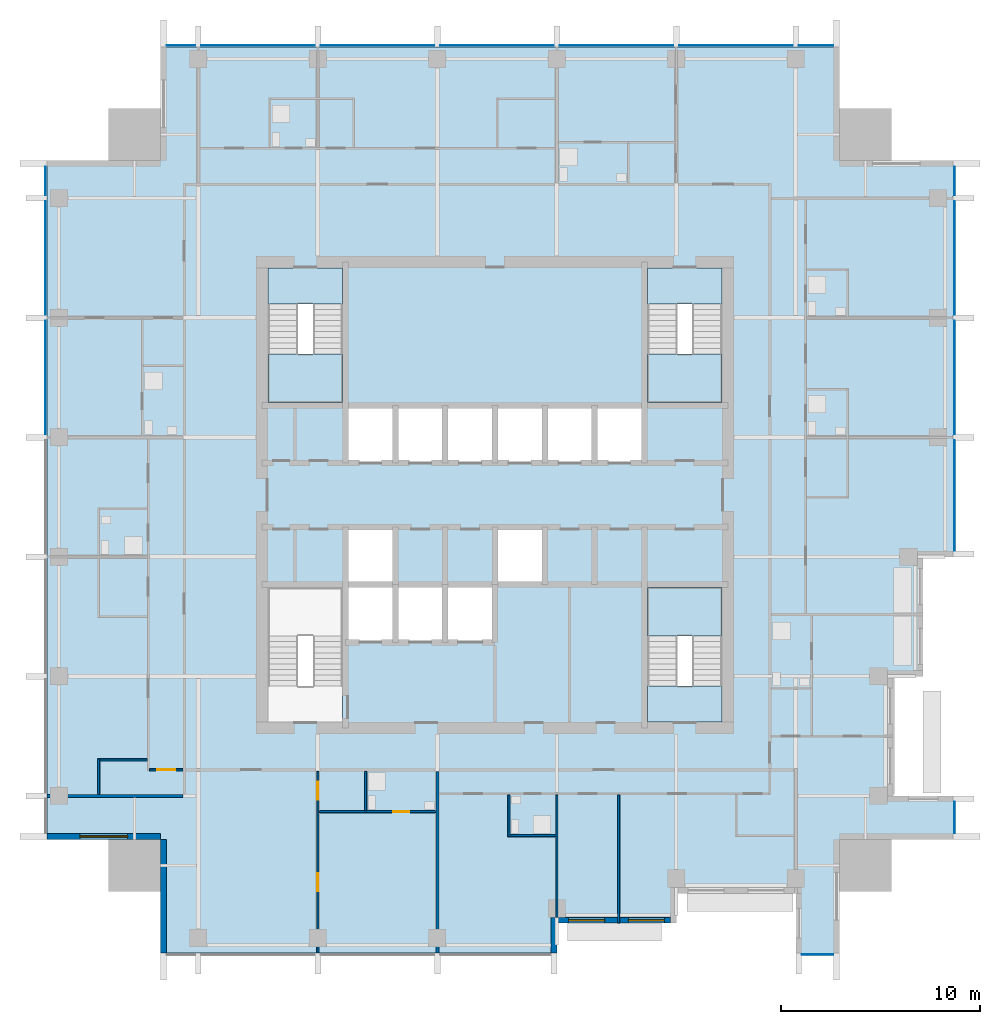
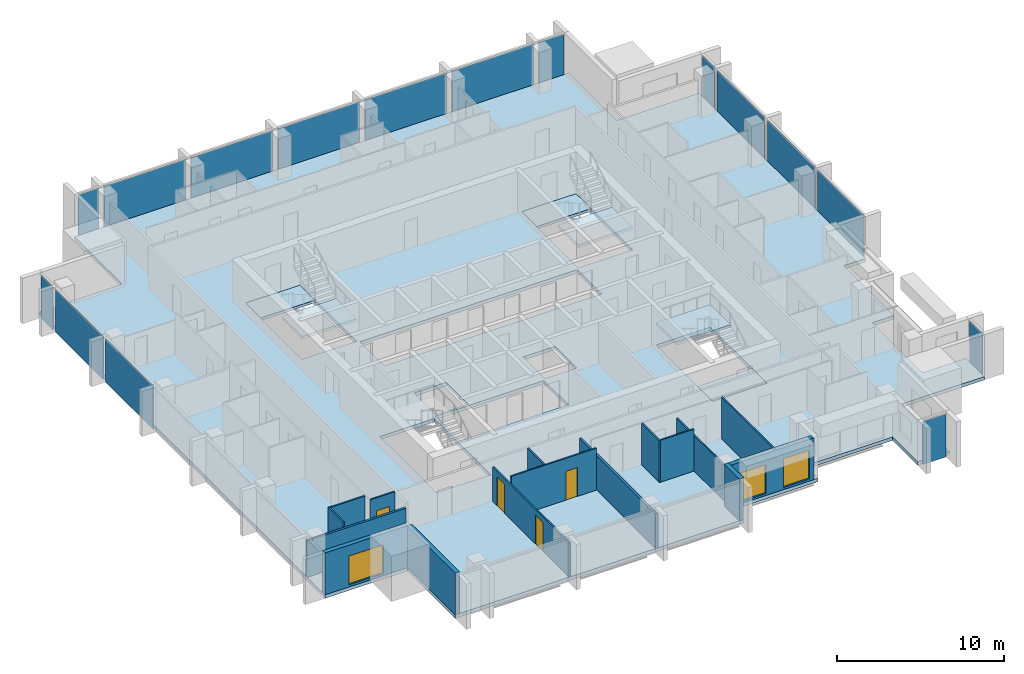
# One storey, part 3 of 10: 16 plates, 16 walls, 7 slabs, 4 doors, 3 windows, 7 openings, 8 elements without a shape of their own.
"""IFC4 building model written with IfcOpenShell, lengths in metres."""

import ifcopenshell
import ifcopenshell.guid

model = None  # the IFC model being written
_history = None  # IfcOwnerHistory: only IFC2X3 demands one
_inside = {}  # id of a spatial element -> (the spatial element, [elements in it])
_under = {}  # id of a project, library or spatial element -> (it, [spatial elements below it])
_declared = {}  # id of a project -> (the project, [libraries it declares])
_typed = {}  # id of a type object -> (the type object, [elements of that type])
_made_of = {}  # id of a material, layer set ... -> (it, [elements and type objects made of it])


def new_model(schema):
    """Start an empty IFC model of exactly this schema.

    Asked for "IFC4X3", IfcOpenShell would pick the latest addendum, in which some entities
    have other attributes; the version numbers below select the first issue.
    IFC2X3 requires an IfcOwnerHistory on every rooted entity: one is made here for all.
    """
    global model, _history
    if schema == "IFC4X3":
        model = ifcopenshell.file(schema_version=(4, 3, 0, 0))
    else:
        model = ifcopenshell.file(schema=schema)
    _inside.clear()
    _under.clear()
    _declared.clear()
    _typed.clear()
    _made_of.clear()
    _history = None
    if model.schema == "IFC2X3":
        org = make("IfcOrganization", Name="unknown")
        user = make(
            "IfcPersonAndOrganization",
            ThePerson=make("IfcPerson", FamilyName="unknown"),
            TheOrganization=org,
        )
        app = make(
            "IfcApplication",
            ApplicationDeveloper=org,
            Version="unknown",
            ApplicationFullName="unknown",
            ApplicationIdentifier="unknown",
        )
        _history = make(
            "IfcOwnerHistory",
            OwningUser=user,
            OwningApplication=app,
            ChangeAction="ADDED",
            CreationDate=0,
        )
    return model


def make(cls, **values):
    """One entity of the class cls with the attributes given. An attribute that is None is left unset."""
    return model.create_entity(
        cls, **{name: value for name, value in values.items() if value is not None}
    )


def rooted(cls, **values):
    """An entity with a GlobalId (a new one), such as an element, a storey or a relation."""
    return make(cls, GlobalId=ifcopenshell.guid.new(), OwnerHistory=_history, **values)


def si_unit(unit_type, name, prefix=None):
    """IfcSIUnit, for example si_unit("LENGTHUNIT", "METRE", prefix="MILLI")."""
    return make("IfcSIUnit", UnitType=unit_type, Prefix=prefix, Name=name)


def assignment(units):
    """IfcUnitAssignment: the units of a project."""
    return None if units is None else make("IfcUnitAssignment", Units=units)


def point(xyz):
    """IfcCartesianPoint."""
    return None if xyz is None else make("IfcCartesianPoint", Coordinates=xyz)


def direction(xyz):
    """IfcDirection."""
    return None if xyz is None else make("IfcDirection", DirectionRatios=xyz)


def frame(location, z_axis=None, x_axis=None):
    """IfcAxis2Placement3D, a coordinate frame: its origin and axes. An axis left out is left unset."""
    return make(
        "IfcAxis2Placement3D",
        Location=point(location),
        Axis=direction(z_axis),
        RefDirection=direction(x_axis),
    )


def frame_2d(location, x_axis=None):
    """IfcAxis2Placement2D, a coordinate frame in the plane: its origin and x axis."""
    return make(
        "IfcAxis2Placement2D", Location=point(location), RefDirection=direction(x_axis)
    )


def origin():
    """The frame at (0, 0, 0) with its axes left unset."""
    return frame((0.0, 0.0, 0.0))


def origin_2d():
    """The frame at (0, 0) in the plane with its x axis left unset."""
    return frame_2d((0.0, 0.0))


def place(relative_to, where):
    """IfcLocalPlacement: puts the frame where relative to a parent placement (None: the world)."""
    return make(
        "IfcLocalPlacement", PlacementRelTo=relative_to, RelativePlacement=where
    )


def context(
    kind, dimensions, precision=None, world=None, true_north=None, identifier=None
):
    """IfcGeometricRepresentationContext, for example the 3D "Model" context."""
    return make(
        "IfcGeometricRepresentationContext",
        ContextIdentifier=identifier,
        ContextType=kind,
        CoordinateSpaceDimension=dimensions,
        Precision=precision,
        WorldCoordinateSystem=world,
        TrueNorth=true_north,
    )


def subcontext(parent, identifier, kind, view, scale=None):
    """IfcGeometricRepresentationSubContext, for example "Body" below "Model"."""
    return make(
        "IfcGeometricRepresentationSubContext",
        ContextIdentifier=identifier,
        ContextType=kind,
        ParentContext=parent,
        TargetScale=scale,
        TargetView=view,
    )


def project(units=None, contexts=None):
    """IfcProject with its units and contexts."""
    return rooted(
        "IfcProject",
        Name="project",
        RepresentationContexts=contexts,
        UnitsInContext=assignment(units),
    )


def spatial(cls, under=None, at=None, **own):
    """A site, building, storey or space (cls), placed at a placement, below another one or the project."""
    s = rooted(cls, ObjectPlacement=at, **own)
    if under is not None:
        _under.setdefault(under.id(), (under, []))[1].append(s)
    return s


def polyline(points):
    """IfcPolyline through the points."""
    return make("IfcPolyline", Points=[point(p) for p in points])


def profile(cls, at=None, kind="AREA", **sizes):
    """A parametric profile (cls). Its sizes go by their IFC names, for example OverallWidth=200.0."""
    return make(cls, ProfileType=kind, Position=at, **sizes)


def rectangle(**sizes):
    """IfcRectangleProfileDef."""
    return profile("IfcRectangleProfileDef", **sizes)


def outline(outer, holes=None, kind="AREA"):
    """IfcArbitraryClosedProfileDef: a profile drawn as a closed curve; with holes, ...WithVoids."""
    if holes is None:
        return make("IfcArbitraryClosedProfileDef", ProfileType=kind, OuterCurve=outer)
    return make(
        "IfcArbitraryProfileDefWithVoids",
        ProfileType=kind,
        OuterCurve=outer,
        InnerCurves=holes,
    )


def extrude(swept, where, along, depth):
    """IfcExtrudedAreaSolid: the profile swept, set in the frame where, extruded along a direction by depth."""
    return make(
        "IfcExtrudedAreaSolid",
        SweptArea=swept,
        Position=where,
        ExtrudedDirection=direction(along),
        Depth=depth,
    )


def shape(context_of_items, identifier, shape_type, items):
    """IfcShapeRepresentation: the items that make up one representation, for example the "Body"."""
    return make(
        "IfcShapeRepresentation",
        ContextOfItems=context_of_items,
        RepresentationIdentifier=identifier,
        RepresentationType=shape_type,
        Items=items,
    )


def material(Name=None, Category=None):
    """IfcMaterial."""
    return make("IfcMaterial", Name=Name, Category=Category)


def layer(
    of_material, thickness, ventilated=None, Name=None, Category=None, Priority=None
):
    """IfcMaterialLayer: one layer of a wall or slab, of a material (None: an air gap)."""
    return make(
        "IfcMaterialLayer",
        Material=of_material,
        LayerThickness=thickness,
        IsVentilated=ventilated,
        Name=Name,
        Category=Category,
        Priority=Priority,
    )


def layer_set(layers, Name=None):
    """IfcMaterialLayerSet."""
    return make("IfcMaterialLayerSet", MaterialLayers=layers, LayerSetName=Name)


def made_of(thing, what):
    """Note that an element or type object is made of a material, layer set ...; save() writes the relation."""
    if what is not None:
        _made_of.setdefault(what.id(), (what, []))[1].append(thing)
    return thing


def type_object(cls, material=None, **own):
    """A type object (cls), such as IfcWallType, which elements share."""
    return made_of(rooted(cls, **own), material)


def element(
    cls,
    number,
    at=None,
    inside=None,
    cuts=None,
    type_object=None,
    material=None,
    context=None,
    identifier="Body",
    shape_type=None,
    held_by="IfcProductDefinitionShape",
    body=None,
    shapes=None,
    **own,
):
    """One element of the class cls, such as IfcWall. Its Tag is "e" and its number.

    at: its placement. inside: the storey or other place that contains it. cuts: it is an
    opening in that element (IfcRelVoidsElement). A single representation is given by context,
    identifier, shape_type and body (its items); several are given by shapes. held_by: the class
    of the entity that holds the representations. save() writes the other relations.
    """
    e = rooted(cls, Tag="e%d" % number, ObjectPlacement=at, **own)
    if body is not None:
        shapes = [shape(context, identifier, shape_type, body)]
    if shapes is not None:
        e.Representation = make(held_by, Representations=shapes)
    if inside is not None:
        _inside.setdefault(inside.id(), (inside, []))[1].append(e)
    if cuts is not None:
        rooted(
            "IfcRelVoidsElement", RelatingBuildingElement=cuts, RelatedOpeningElement=e
        )
    if type_object is not None:
        _typed.setdefault(type_object.id(), (type_object, []))[1].append(e)
    return made_of(e, material)


def fill(opening, filler):
    """IfcRelFillsElement: the door or window that sits in an opening."""
    return rooted(
        "IfcRelFillsElement",
        RelatingOpeningElement=opening,
        RelatedBuildingElement=filler,
    )


def aggregate(whole, parts):
    """IfcRelAggregates: a whole, such as a stair, and the parts it consists of."""
    return rooted("IfcRelAggregates", RelatingObject=whole, RelatedObjects=parts)


def save(model, path):
    """Write the relations noted so far, then the file.

    IfcRelAggregates (storeys below a building ...), IfcRelContainedInSpatialStructure (elements
    in a storey), IfcRelDefinesByType, IfcRelAssociatesMaterial and IfcRelDeclares: one each for
    every whole, place, type object, material and project.
    """
    for whole, parts in _under.values():
        aggregate(whole, parts)
    for where, things in _inside.values():
        rooted(
            "IfcRelContainedInSpatialStructure",
            RelatedElements=things,
            RelatingStructure=where,
        )
    for kind, things in _typed.values():
        rooted("IfcRelDefinesByType", RelatedObjects=things, RelatingType=kind)
    for what, things in _made_of.values():
        rooted("IfcRelAssociatesMaterial", RelatedObjects=things, RelatingMaterial=what)
    for by, libraries in _declared.values():
        rooted("IfcRelDeclares", RelatingContext=by, RelatedDefinitions=libraries)
    model.write(path)


model = new_model("IFC4")

# Units and contexts
model_context = context("Model", 3, precision=1e-05, world=origin(), true_north=direction((0.0, 1.0)))
body_context = subcontext(model_context, "Body", "Model", "MODEL_VIEW")
ifc_project = project(units=[si_unit("LENGTHUNIT", "METRE"), si_unit("AREAUNIT", "SQUARE_METRE"), si_unit("VOLUMEUNIT", "CUBIC_METRE"), si_unit("PLANEANGLEUNIT", "RADIAN"), si_unit("MASSUNIT", "GRAM", prefix="KILO")], contexts=[model_context])

# Site, building, storey
site_placement = place(None, origin())
site = spatial("IfcSite", under=ifc_project, at=site_placement, CompositionType="ELEMENT")
building_placement = place(site_placement, origin())
building = spatial("IfcBuilding", under=site, at=building_placement, Name="Amberfall Residences", CompositionType="ELEMENT")
storey_placement = place(building_placement, frame((0.0, 0.0, 193.60009765625)))
storey = spatial("IfcBuildingStorey", under=building, at=storey_placement, Name="L51", CompositionType="ELEMENT", Elevation=193.60009765625)

# Curtain wall, plate
ifc_material_1 = material(Name="Bronze anodised aluminium and glass", Category="aluminium")
curtain_wall_type = type_object("IfcCurtainWallType", Name="Curtain wall CW1 tower unit", PredefinedType="USERDEFINED", material=ifc_material_1)
curtain_wall_1_placement = place(storey_placement, origin())
curtain_wall_1 = element("IfcCurtainWall", 1, at=curtain_wall_1_placement, inside=storey, type_object=curtain_wall_type, Name="Curtain wall L51 S S7", ObjectType="UNITISED CURTAIN WALL", PredefinedType="USERDEFINED")
ifc_material_2 = material(Name="Tinted double glazed unit", Category="glass")
ifc_layer_1 = layer(ifc_material_2, 0.035888671875)
ifc_layer_set_1 = layer_set([ifc_layer_1], Name="CW1 panel 36 glazing")
plate_type = type_object("IfcPlateType", Name="CW1 panel 36 glazing", PredefinedType="CURTAIN_PANEL", material=ifc_layer_set_1)
plate_1_placement = place(storey_placement, frame((90.699951171875, 22.425048828125, -0.25), z_axis=(0.0, 0.0, 1.0), x_axis=(1.0, 0.0, 0.0)))
plate_1 = element("IfcPlate", 2, at=plate_1_placement, type_object=plate_type, Name="CW1 panel 1.1", PredefinedType="CURTAIN_PANEL", context=body_context, shape_type="SweptSolid", body=[
    extrude(rectangle(XDim=1.575927734375, YDim=0.035888671875, at=origin_2d()), origin(), (0.0, 0.0, 1.0), 3.14990234375),
])
aggregate(curtain_wall_1, [plate_1])

curtain_wall_2_placement = place(storey_placement, origin())
curtain_wall_2 = element("IfcCurtainWall", 3, at=curtain_wall_2_placement, inside=storey, type_object=curtain_wall_type, Name="Curtain wall L51 E E1", ObjectType="UNITISED CURTAIN WALL", PredefinedType="USERDEFINED")
plate_2_placement = place(storey_placement, frame((97.574951171875, 29.300048828125, -0.25), z_axis=(0.0, 0.0, 1.0), x_axis=(0.0, 1.0, 0.0)))
plate_2 = element("IfcPlate", 4, at=plate_2_placement, type_object=plate_type, Name="CW1 panel 1.1", PredefinedType="CURTAIN_PANEL", context=body_context, shape_type="SweptSolid", body=[
    extrude(rectangle(XDim=1.575927734375, YDim=0.035888671875, at=origin_2d()), origin(), (0.0, 0.0, 1.0), 3.14990234375),
])
aggregate(curtain_wall_2, [plate_2])

# Curtain wall, plates
curtain_wall_3_placement = place(storey_placement, origin())
curtain_wall_3 = element("IfcCurtainWall", 5, at=curtain_wall_3_placement, inside=storey, type_object=curtain_wall_type, Name="Curtain wall L51 E E7", ObjectType="UNITISED CURTAIN WALL", PredefinedType="USERDEFINED")
plate_3_placement = place(storey_placement, frame((97.574951171875, 45.47509765625, -0.25), z_axis=(0.0, 0.0, 1.0), x_axis=(0.0, 1.0, 0.0)))
plate_3 = element("IfcPlate", 6, at=plate_3_placement, type_object=plate_type, Name="CW1 panel 1.1", PredefinedType="CURTAIN_PANEL", context=body_context, shape_type="SweptSolid", body=[
    extrude(rectangle(XDim=5.52587890625, YDim=0.035888671875, at=origin_2d()), origin(), (0.0, 0.0, 1.0), 3.14990234375),
])
plate_4_placement = place(storey_placement, frame((97.574951171875, 51.39990234375, -0.25), z_axis=(0.0, 0.0, 1.0), x_axis=(0.0, 1.0, 0.0)))
plate_4 = element("IfcPlate", 7, at=plate_4_placement, type_object=plate_type, Name="CW1 panel 2.1", PredefinedType="CURTAIN_PANEL", context=body_context, shape_type="SweptSolid", body=[
    extrude(rectangle(XDim=5.676025390625, YDim=0.035888671875, at=origin_2d()), origin(), (0.0, 0.0, 1.0), 3.14990234375),
])
plate_5_placement = place(storey_placement, frame((97.574951171875, 57.39990234375, -0.25), z_axis=(0.0, 0.0, 1.0), x_axis=(0.0, 1.0, 0.0)))
plate_5 = element("IfcPlate", 8, at=plate_5_placement, type_object=plate_type, Name="CW1 panel 3.1", PredefinedType="CURTAIN_PANEL", context=body_context, shape_type="SweptSolid", body=[
    extrude(rectangle(XDim=5.676025390625, YDim=0.035888671875, at=origin_2d()), origin(), (0.0, 0.0, 1.0), 3.14990234375),
])
plate_6_placement = place(storey_placement, frame((97.574951171875, 61.27490234375, -0.25), z_axis=(0.0, 0.0, 1.0), x_axis=(0.0, 1.0, 0.0)))
plate_6 = element("IfcPlate", 9, at=plate_6_placement, type_object=plate_type, Name="CW1 panel 4.1", PredefinedType="CURTAIN_PANEL", context=body_context, shape_type="SweptSolid", body=[
    extrude(rectangle(XDim=1.426025390625, YDim=0.035888671875, at=origin_2d()), origin(), (0.0, 0.0, 1.0), 3.14990234375),
])
aggregate(curtain_wall_3, [plate_3, plate_4, plate_5, plate_6])

curtain_wall_4_placement = place(storey_placement, origin())
curtain_wall_4 = element("IfcCurtainWall", 10, at=curtain_wall_4_placement, inside=storey, type_object=curtain_wall_type, Name="Curtain wall L51 N N1", ObjectType="UNITISED CURTAIN WALL", PredefinedType="USERDEFINED")
plate_7_placement = place(storey_placement, frame((90.625, 68.074951171875, -0.25), z_axis=(0.0, 0.0, 1.0), x_axis=(-1.0, 0.0, 0.0)))
plate_7 = element("IfcPlate", 11, at=plate_7_placement, type_object=plate_type, Name="CW1 panel 1.1", PredefinedType="CURTAIN_PANEL", context=body_context, shape_type="SweptSolid", body=[
    extrude(rectangle(XDim=1.72607421875, YDim=0.035888671875, at=origin_2d()), origin(), (0.0, 0.0, 1.0), 3.14990234375),
])
plate_8_placement = place(storey_placement, frame((86.60009765625, 68.074951171875, -0.25), z_axis=(0.0, 0.0, 1.0), x_axis=(-1.0, 0.0, 0.0)))
plate_8 = element("IfcPlate", 12, at=plate_8_placement, type_object=plate_type, Name="CW1 panel 2.1", PredefinedType="CURTAIN_PANEL", context=body_context, shape_type="SweptSolid", body=[
    extrude(rectangle(XDim=5.676025390625, YDim=0.035888671875, at=origin_2d()), origin(), (0.0, 0.0, 1.0), 3.14990234375),
])
plate_9_placement = place(storey_placement, frame((80.60009765625, 68.074951171875, -0.25), z_axis=(0.0, 0.0, 1.0), x_axis=(-1.0, 0.0, 0.0)))
plate_9 = element("IfcPlate", 13, at=plate_9_placement, type_object=plate_type, Name="CW1 panel 3.1", PredefinedType="CURTAIN_PANEL", context=body_context, shape_type="SweptSolid", body=[
    extrude(rectangle(XDim=5.676025390625, YDim=0.035888671875, at=origin_2d()), origin(), (0.0, 0.0, 1.0), 3.14990234375),
])
plate_10_placement = place(storey_placement, frame((74.60009765625, 68.074951171875, -0.25), z_axis=(0.0, 0.0, 1.0), x_axis=(-1.0, 0.0, 0.0)))
plate_10 = element("IfcPlate", 14, at=plate_10_placement, type_object=plate_type, Name="CW1 panel 4.1", PredefinedType="CURTAIN_PANEL", context=body_context, shape_type="SweptSolid", body=[
    extrude(rectangle(XDim=5.676025390625, YDim=0.035888671875, at=origin_2d()), origin(), (0.0, 0.0, 1.0), 3.14990234375),
])
plate_11_placement = place(storey_placement, frame((68.60009765625, 68.074951171875, -0.25), z_axis=(0.0, 0.0, 1.0), x_axis=(-1.0, 0.0, 0.0)))
plate_11 = element("IfcPlate", 15, at=plate_11_placement, type_object=plate_type, Name="CW1 panel 5.1", PredefinedType="CURTAIN_PANEL", context=body_context, shape_type="SweptSolid", body=[
    extrude(rectangle(XDim=5.676025390625, YDim=0.035888671875, at=origin_2d()), origin(), (0.0, 0.0, 1.0), 3.14990234375),
])
plate_12_placement = place(storey_placement, frame((62.60009765625, 68.074951171875, -0.25), z_axis=(0.0, 0.0, 1.0), x_axis=(-1.0, 0.0, 0.0)))
plate_12 = element("IfcPlate", 16, at=plate_12_placement, type_object=plate_type, Name="CW1 panel 6.1", PredefinedType="CURTAIN_PANEL", context=body_context, shape_type="SweptSolid", body=[
    extrude(rectangle(XDim=5.676025390625, YDim=0.035888671875, at=origin_2d()), origin(), (0.0, 0.0, 1.0), 3.14990234375),
])
plate_13_placement = place(storey_placement, frame((58.72509765625, 68.074951171875, -0.25), z_axis=(0.0, 0.0, 1.0), x_axis=(-1.0, 0.0, 0.0)))
plate_13 = element("IfcPlate", 17, at=plate_13_placement, type_object=plate_type, Name="CW1 panel 7.1", PredefinedType="CURTAIN_PANEL", context=body_context, shape_type="SweptSolid", body=[
    extrude(rectangle(XDim=1.426025390625, YDim=0.035888671875, at=origin_2d()), origin(), (0.0, 0.0, 1.0), 3.14990234375),
])
aggregate(curtain_wall_4, [plate_7, plate_8, plate_9, plate_10, plate_11, plate_12, plate_13])

curtain_wall_5_placement = place(storey_placement, origin())
curtain_wall_5 = element("IfcCurtainWall", 18, at=curtain_wall_5_placement, inside=storey, type_object=curtain_wall_type, Name="Curtain wall L51 W W1", ObjectType="UNITISED CURTAIN WALL", PredefinedType="USERDEFINED")
plate_14_placement = place(storey_placement, frame((51.925048828125, 61.27490234375, -0.25), z_axis=(0.0, 0.0, 1.0), x_axis=(0.0, -1.0, 0.0)))
plate_14 = element("IfcPlate", 19, at=plate_14_placement, type_object=plate_type, Name="CW1 panel 1.1", PredefinedType="CURTAIN_PANEL", context=body_context, shape_type="SweptSolid", body=[
    extrude(rectangle(XDim=1.426025390625, YDim=0.035888671875, at=origin_2d()), origin(), (0.0, 0.0, 1.0), 3.14990234375),
])
plate_15_placement = place(storey_placement, frame((51.925048828125, 57.39990234375, -0.25), z_axis=(0.0, 0.0, 1.0), x_axis=(0.0, -1.0, 0.0)))
plate_15 = element("IfcPlate", 20, at=plate_15_placement, type_object=plate_type, Name="CW1 panel 2.1", PredefinedType="CURTAIN_PANEL", context=body_context, shape_type="SweptSolid", body=[
    extrude(rectangle(XDim=5.676025390625, YDim=0.035888671875, at=origin_2d()), origin(), (0.0, 0.0, 1.0), 3.14990234375),
])
plate_16_placement = place(storey_placement, frame((51.925048828125, 51.39990234375, -0.25), z_axis=(0.0, 0.0, 1.0), x_axis=(0.0, -1.0, 0.0)))
plate_16 = element("IfcPlate", 21, at=plate_16_placement, type_object=plate_type, Name="CW1 panel 3.1", PredefinedType="CURTAIN_PANEL", context=body_context, shape_type="SweptSolid", body=[
    extrude(rectangle(XDim=5.676025390625, YDim=0.035888671875, at=origin_2d()), origin(), (0.0, 0.0, 1.0), 3.14990234375),
])
aggregate(curtain_wall_5, [plate_14, plate_15, plate_16])

# Slab
ifc_material_3 = material(Name="Concrete C55", Category="concrete")
ifc_layer_2 = layer(ifc_material_3, 0.25)
ifc_layer_set_2 = layer_set([ifc_layer_2], Name="Floor slab 250 C55")
slab_type_1 = type_object("IfcSlabType", Name="Floor slab 250 C55", PredefinedType="FLOOR", material=ifc_layer_set_2)
slab_1_placement = place(storey_placement, frame((0.0, 0.0, -0.25)))
element("IfcSlab", 22, at=slab_1_placement, inside=storey, type_object=slab_type_1, Name="Floor slab S16 L51", PredefinedType="FLOOR", context=body_context, shape_type="SweptSolid", body=[
    extrude(outline(polyline([(89.60009765625, 22.5), (89.60009765625, 25.5), (83.60009765625, 25.5), (83.60009765625, 24.0), (77.60009765625, 24.0), (77.60009765625, 22.5), (57.699951171875, 22.5), (57.699951171875, 28.199951171875), (52.0, 28.199951171875), (52.0, 62.300048828125), (57.699951171875, 62.300048828125), (57.699951171875, 68.0), (91.800048828125, 68.0), (91.800048828125, 62.300048828125), (97.5, 62.300048828125), (97.5, 42.39990234375), (96.0, 42.39990234375), (96.0, 36.39990234375), (94.5, 36.39990234375), (94.5, 30.39990234375), (97.5, 30.39990234375), (97.5, 28.199951171875), (91.800048828125, 28.199951171875), (91.800048828125, 22.5), (89.60009765625, 22.5)]), holes=[polyline([(85.89990234375, 34.10009765625), (85.89990234375, 40.85009765625), (82.14990234375, 40.85009765625), (82.14990234375, 34.10009765625), (85.89990234375, 34.10009765625)]), polyline([(85.89990234375, 50.14990234375), (85.89990234375, 56.89990234375), (82.14990234375, 56.89990234375), (82.14990234375, 50.14990234375), (85.89990234375, 50.14990234375)]), polyline([(72.0, 50.0), (69.5, 50.0), (67.0, 50.0), (67.0, 47.10009765625), (69.5, 47.10009765625), (72.0, 47.10009765625), (74.5, 47.10009765625), (77.0, 47.10009765625), (79.5, 47.10009765625), (82.0, 47.10009765625), (82.0, 50.0), (79.5, 50.0), (77.0, 50.0), (74.5, 50.0), (72.0, 50.0)]), polyline([(76.85009765625, 41.14990234375), (76.85009765625, 43.75), (74.64990234375, 43.75), (74.64990234375, 41.14990234375), (76.85009765625, 41.14990234375)]), polyline([(69.5, 41.0), (67.0, 41.0), (67.0, 38.10009765625), (69.5, 38.10009765625), (72.0, 38.10009765625), (74.5, 38.10009765625), (74.5, 41.0), (72.0, 41.0), (69.5, 41.0)]), polyline([(69.35009765625, 41.14990234375), (69.35009765625, 43.75), (67.14990234375, 43.75), (67.14990234375, 41.14990234375), (69.35009765625, 41.14990234375)]), polyline([(66.85009765625, 50.14990234375), (66.85009765625, 56.89990234375), (63.10009765625, 56.89990234375), (63.10009765625, 50.14990234375), (66.85009765625, 50.14990234375)]), polyline([(66.85009765625, 40.85009765625), (63.10009765625, 40.85009765625), (63.10009765625, 34.10009765625), (66.85009765625, 34.10009765625), (66.85009765625, 40.85009765625)])]), origin(), (0.0, 0.0, 1.0), 0.25),
])

# Stair, slabs
ifc_material_4 = material(Name="Concrete C40", Category="concrete")
stair_type = type_object("IfcStairType", Name="Exit stair 20 risers 165.0 mm", PredefinedType="HALF_TURN_STAIR", material=ifc_material_4)
stair_1_placement = place(storey_placement, origin())
stair_1 = element("IfcStair", 23, at=stair_1_placement, inside=storey, type_object=stair_type, Name="L51 Exit stair 2", PredefinedType="HALF_TURN_STAIR")
ifc_layer_3 = layer(ifc_material_4, 0.199951171875)
ifc_layer_set_3 = layer_set([ifc_layer_3], Name="Stair landing 200")
slab_type_2 = type_object("IfcSlabType", Name="Stair landing 200", PredefinedType="LANDING", material=ifc_layer_set_3)
slab_2_placement = place(storey_placement, frame((0.0, 0.0, 1.449951171875)))
slab_2 = element("IfcSlab", 24, at=slab_2_placement, type_object=slab_type_2, Name="ST3 landing 1", PredefinedType="LANDING", context=body_context, shape_type="SweptSolid", body=[
    extrude(outline(polyline([(85.89990234375, 38.419921875), (85.89990234375, 40.85009765625), (82.14990234375, 40.85009765625), (82.14990234375, 38.419921875), (85.89990234375, 38.419921875)])), origin(), (0.0, 0.0, 1.0), 0.199951171875),
])
slab_3_placement = place(storey_placement, frame((0.0, 0.0, -0.2001953125)))
slab_3 = element("IfcSlab", 25, at=slab_3_placement, type_object=slab_type_2, Name="ST3 landing 2", PredefinedType="LANDING", context=body_context, shape_type="SweptSolid", body=[
    extrude(outline(polyline([(85.89990234375, 34.10009765625), (85.89990234375, 35.89990234375), (82.14990234375, 35.89990234375), (82.14990234375, 34.10009765625), (85.89990234375, 34.10009765625)])), origin(), (0.0, 0.0, 1.0), 0.2001953125),
])
aggregate(stair_1, [slab_2, slab_3])

stair_2_placement = place(storey_placement, origin())
stair_2 = element("IfcStair", 26, at=stair_2_placement, inside=storey, type_object=stair_type, Name="L51 Exit stair 3", PredefinedType="HALF_TURN_STAIR")
slab_4_placement = place(storey_placement, frame((0.0, 0.0, 1.449951171875)))
slab_4 = element("IfcSlab", 27, at=slab_4_placement, type_object=slab_type_2, Name="ST3 landing 1", PredefinedType="LANDING", context=body_context, shape_type="SweptSolid", body=[
    extrude(outline(polyline([(82.14990234375, 52.580078125), (82.14990234375, 50.14990234375), (85.89990234375, 50.14990234375), (85.89990234375, 52.580078125), (82.14990234375, 52.580078125)])), origin(), (0.0, 0.0, 1.0), 0.199951171875),
])
slab_5_placement = place(storey_placement, frame((0.0, 0.0, -0.2001953125)))
slab_5 = element("IfcSlab", 28, at=slab_5_placement, type_object=slab_type_2, Name="ST3 landing 2", PredefinedType="LANDING", context=body_context, shape_type="SweptSolid", body=[
    extrude(outline(polyline([(82.14990234375, 56.89990234375), (82.14990234375, 55.10009765625), (85.89990234375, 55.10009765625), (85.89990234375, 56.89990234375), (82.14990234375, 56.89990234375)])), origin(), (0.0, 0.0, 1.0), 0.2001953125),
])
aggregate(stair_2, [slab_4, slab_5])

stair_3_placement = place(storey_placement, origin())
stair_3 = element("IfcStair", 29, at=stair_3_placement, inside=storey, type_object=stair_type, Name="L51 Exit stair 4", PredefinedType="HALF_TURN_STAIR")
slab_6_placement = place(storey_placement, frame((0.0, 0.0, 1.449951171875)))
slab_6 = element("IfcSlab", 30, at=slab_6_placement, type_object=slab_type_2, Name="ST3 landing 1", PredefinedType="LANDING", context=body_context, shape_type="SweptSolid", body=[
    extrude(outline(polyline([(63.10009765625, 52.580078125), (63.10009765625, 50.14990234375), (66.85009765625, 50.14990234375), (66.85009765625, 52.580078125), (63.10009765625, 52.580078125)])), origin(), (0.0, 0.0, 1.0), 0.199951171875),
])
slab_7_placement = place(storey_placement, frame((0.0, 0.0, -0.2001953125)))
slab_7 = element("IfcSlab", 31, at=slab_7_placement, type_object=slab_type_2, Name="ST3 landing 2", PredefinedType="LANDING", context=body_context, shape_type="SweptSolid", body=[
    extrude(outline(polyline([(63.10009765625, 56.89990234375), (63.10009765625, 55.10009765625), (66.85009765625, 55.10009765625), (66.85009765625, 56.89990234375), (63.10009765625, 56.89990234375)])), origin(), (0.0, 0.0, 1.0), 0.2001953125),
])
aggregate(stair_3, [slab_6, slab_7])

# Wall
ifc_material_5 = material(Name="Pale stone cladding on insulated backing", Category="masonry")
ifc_layer_4 = layer(ifc_material_5, 0.300048828125)
ifc_layer_set_4 = layer_set([ifc_layer_4], Name="Bronze clad wall 300")
wall_type_1 = type_object("IfcWallType", Name="Bronze clad wall 300", PredefinedType="SOLIDWALL", material=ifc_layer_set_4)
wall_1_placement = place(storey_placement, frame((77.449951171875, 22.5, 0.0), z_axis=(0.0, 0.0, 1.0), x_axis=(0.0, 1.0, 0.0)))
element("IfcWall", 32, at=wall_1_placement, inside=storey, type_object=wall_type_1, Name="External wall L51 S", PredefinedType="SOLIDWALL", context=body_context, shape_type="SweptSolid", body=[
    extrude(rectangle(XDim=1.800048828125, YDim=0.300048828125, at=frame_2d((0.89990234375, 0.0))), origin(), (0.0, 0.0, 1.0), 3.0498046875),
])

# Wall, opening, window
wall_2_placement = place(storey_placement, frame((52.0, 28.35009765625, 0.0), z_axis=(0.0, 0.0, 1.0), x_axis=(1.0, 0.0, 0.0)))
wall_2 = element("IfcWall", 33, at=wall_2_placement, inside=storey, type_object=wall_type_1, Name="External wall L51 SW", PredefinedType="SOLIDWALL", context=body_context, shape_type="SweptSolid", body=[
    extrude(rectangle(XDim=5.699951171875, YDim=0.300048828125, at=frame_2d((2.85009765625, 0.0))), origin(), (0.0, 0.0, 1.0), 3.0498046875),
])
opening_1_placement = place(wall_2_placement, frame((1.64990234375, 0.0, 0.14990234375)))
opening_1 = element("IfcOpeningElement", 34, at=opening_1_placement, cuts=wall_2, Name="Opening WN5", PredefinedType="OPENING", context=body_context, shape_type="SweptSolid", body=[
    extrude(rectangle(XDim=2.39990234375, YDim=2.10009765625, at=frame_2d((1.199951171875, 1.050048828125))), frame((0.0, 0.159912109375, 0.0), z_axis=(0.0, -1.0, 0.0), x_axis=(1.0, 0.0, 0.0)), (0.0, 0.0, 1.0), 0.320068359375),
])
ifc_material_6 = material(Name="Bronze aluminium framed glazing", Category="aluminium")
window_type_1 = type_object("IfcWindowType", Name="Glazed opening 2400 x 2100 bronze", PartitioningType="DOUBLE_PANEL_VERTICAL", PredefinedType="WINDOW", material=ifc_material_6)
window_1_placement = place(opening_1_placement, origin())
window_1 = element("IfcWindow", 35, at=window_1_placement, inside=storey, type_object=window_type_1, Name="Window L51 SW", OverallHeight=2.10009765625, OverallWidth=2.39990234375, PartitioningType="DOUBLE_PANEL_VERTICAL", PredefinedType="WINDOW", context=body_context, shape_type="SweptSolid", body=[
    extrude(rectangle(XDim=2.39990234375, YDim=2.10009765625, at=frame_2d((1.199951171875, 1.050048828125))), frame((0.0, 0.030029296875, 0.0), z_axis=(0.0, -1.0, 0.0), x_axis=(1.0, 0.0, 0.0)), (0.0, 0.0, 1.0), 0.06005859375),
])
fill(opening_1, window_1)

# Wall
wall_3_placement = place(storey_placement, frame((57.85009765625, 28.199951171875, 0.0), z_axis=(0.0, 0.0, 1.0), x_axis=(0.0, -1.0, 0.0)))
element("IfcWall", 36, at=wall_3_placement, inside=storey, type_object=wall_type_1, Name="External wall L51 SW", PredefinedType="SOLIDWALL", context=body_context, shape_type="SweptSolid", body=[
    extrude(rectangle(XDim=5.699951171875, YDim=0.300048828125, at=frame_2d((2.85009765625, 0.0))), origin(), (0.0, 0.0, 1.0), 3.0498046875),
])

# Wall, openings, windows
wall_4_placement = place(storey_placement, frame((77.60009765625, 24.14990234375, 0.0), z_axis=(0.0, 0.0, 1.0), x_axis=(1.0, 0.0, 0.0)))
wall_4 = element("IfcWall", 37, at=wall_4_placement, inside=storey, type_object=wall_type_1, Name="Stone wall L51 S", PredefinedType="SOLIDWALL", context=body_context, shape_type="SweptSolid", body=[
    extrude(rectangle(XDim=5.699951171875, YDim=0.300048828125, at=frame_2d((2.85009765625, 0.0))), origin(), (0.0, 0.0, 1.0), 3.0498046875),
])
opening_2_placement = place(wall_4_placement, frame((0.60009765625, 0.0, 0.14990234375)))
opening_2 = element("IfcOpeningElement", 38, at=opening_2_placement, cuts=wall_4, Name="Opening WN6", PredefinedType="OPENING", context=body_context, shape_type="SweptSolid", body=[
    extrude(rectangle(XDim=1.800048828125, YDim=2.10009765625, at=frame_2d((0.89990234375, 1.050048828125))), frame((0.0, 0.159912109375, 0.0), z_axis=(0.0, -1.0, 0.0), x_axis=(1.0, 0.0, 0.0)), (0.0, 0.0, 1.0), 0.320068359375),
])
opening_3_placement = place(wall_4_placement, frame((3.60009765625, 0.0, 0.14990234375)))
opening_3 = element("IfcOpeningElement", 39, at=opening_3_placement, cuts=wall_4, Name="Opening WN6", PredefinedType="OPENING", context=body_context, shape_type="SweptSolid", body=[
    extrude(rectangle(XDim=1.800048828125, YDim=2.10009765625, at=frame_2d((0.89990234375, 1.050048828125))), frame((0.0, 0.159912109375, 0.0), z_axis=(0.0, -1.0, 0.0), x_axis=(1.0, 0.0, 0.0)), (0.0, 0.0, 1.0), 0.320068359375),
])
window_type_2 = type_object("IfcWindowType", Name="Glazed opening 1800 x 2100 bronze", PartitioningType="DOUBLE_PANEL_VERTICAL", PredefinedType="WINDOW", material=ifc_material_6)
window_2_placement = place(opening_2_placement, origin())
window_2 = element("IfcWindow", 40, at=window_2_placement, inside=storey, type_object=window_type_2, Name="Window L51 S", OverallHeight=2.10009765625, OverallWidth=1.800048828125, PartitioningType="DOUBLE_PANEL_VERTICAL", PredefinedType="WINDOW", context=body_context, shape_type="SweptSolid", body=[
    extrude(rectangle(XDim=1.800048828125, YDim=2.10009765625, at=frame_2d((0.89990234375, 1.050048828125))), frame((0.0, 0.030029296875, 0.0), z_axis=(0.0, -1.0, 0.0), x_axis=(1.0, 0.0, 0.0)), (0.0, 0.0, 1.0), 0.06005859375),
])
fill(opening_2, window_2)
window_3_placement = place(opening_3_placement, origin())
window_3 = element("IfcWindow", 41, at=window_3_placement, inside=storey, type_object=window_type_2, Name="Window L51 S", OverallHeight=2.10009765625, OverallWidth=1.800048828125, PartitioningType="DOUBLE_PANEL_VERTICAL", PredefinedType="WINDOW", context=body_context, shape_type="SweptSolid", body=[
    extrude(rectangle(XDim=1.800048828125, YDim=2.10009765625, at=frame_2d((0.89990234375, 1.050048828125))), frame((0.0, 0.030029296875, 0.0), z_axis=(0.0, -1.0, 0.0), x_axis=(1.0, 0.0, 0.0)), (0.0, 0.0, 1.0), 0.06005859375),
])
fill(opening_3, window_3)

# Wall
ifc_material_7 = material(Name="Gypsum board on metal stud")
ifc_layer_5 = layer(ifc_material_7, 0.10009765625)
ifc_layer_set_5 = layer_set([ifc_layer_5], Name="Flat partition 100")
wall_type_2 = type_object("IfcWallType", Name="Flat partition 100", PredefinedType="PARTITIONING", material=ifc_layer_set_5)
wall_5_placement = place(storey_placement, frame((54.60009765625, 30.47509765625, 0.0), z_axis=(0.0, 0.0, 1.0), x_axis=(0.0, 1.0, 0.0)))
element("IfcWall", 42, at=wall_5_placement, inside=storey, type_object=wall_type_2, Name="Partition 001", PredefinedType="PARTITIONING", context=body_context, shape_type="SweptSolid", body=[
    extrude(rectangle(XDim=1.77490234375, YDim=0.10009765625, at=frame_2d((0.887451171875, 0.0))), origin(), (0.0, 0.0, 1.0), 3.0498046875),
])

# Wall, openings, doors
wall_6_placement = place(storey_placement, frame((65.60009765625, 31.625, 0.0), z_axis=(0.0, 0.0, 1.0), x_axis=(0.0, -1.0, 0.0)))
wall_6 = element("IfcWall", 43, at=wall_6_placement, inside=storey, type_object=wall_type_2, Name="Partition 006", PredefinedType="PARTITIONING", context=body_context, shape_type="SweptSolid", body=[
    extrude(rectangle(XDim=9.125, YDim=0.10009765625, at=frame_2d((4.5625, 0.0))), origin(), (0.0, 0.0, 1.0), 2.515869140625),
])
opening_4_placement = place(wall_6_placement, frame((0.52490234375, 0.0, 0.0)))
opening_4 = element("IfcOpeningElement", 44, at=opening_4_placement, cuts=wall_6, Name="Opening D41", PredefinedType="OPENING", context=body_context, shape_type="SweptSolid", body=[
    extrude(rectangle(XDim=0.89990234375, YDim=2.10009765625, at=frame_2d((0.449951171875, 1.050048828125))), frame((0.0, 0.06005859375, 0.0), z_axis=(0.0, -1.0, 0.0), x_axis=(1.0, 0.0, 0.0)), (0.0, 0.0, 1.0), 0.1201171875),
])
opening_5_placement = place(wall_6_placement, frame((5.125, 0.0, 0.0)))
opening_5 = element("IfcOpeningElement", 45, at=opening_5_placement, cuts=wall_6, Name="Opening D41", PredefinedType="OPENING", context=body_context, shape_type="SweptSolid", body=[
    extrude(rectangle(XDim=0.89990234375, YDim=2.10009765625, at=frame_2d((0.449951171875, 1.050048828125))), frame((0.0, 0.06005859375, 0.0), z_axis=(0.0, -1.0, 0.0), x_axis=(1.0, 0.0, 0.0)), (0.0, 0.0, 1.0), 0.1201171875),
])
ifc_material_8 = material(Name="Timber", Category="wood")
door_type_1 = type_object("IfcDoorType", Name="Internal door 900 x 2100", OperationType="SINGLE_SWING_LEFT", PredefinedType="DOOR", material=ifc_material_8)
door_1_placement = place(opening_4_placement, origin())
door_1 = element("IfcDoor", 46, at=door_1_placement, inside=storey, type_object=door_type_1, Name="Door 5101 kitchen", OperationType="SINGLE_SWING_LEFT", OverallHeight=2.10009765625, OverallWidth=0.89990234375, PredefinedType="DOOR", context=body_context, shape_type="SweptSolid", body=[
    extrude(rectangle(XDim=0.89990234375, YDim=2.10009765625, at=frame_2d((0.449951171875, 1.050048828125))), frame((0.0, 0.02490234375, 0.0), z_axis=(0.0, -1.0, 0.0), x_axis=(1.0, 0.0, 0.0)), (0.0, 0.0, 1.0), 0.050048828125),
])
fill(opening_4, door_1)
door_2_placement = place(opening_5_placement, origin())
door_2 = element("IfcDoor", 47, at=door_2_placement, inside=storey, type_object=door_type_1, Name="Door 5101 bedroom1", OperationType="SINGLE_SWING_LEFT", OverallHeight=2.10009765625, OverallWidth=0.89990234375, PredefinedType="DOOR", context=body_context, shape_type="SweptSolid", body=[
    extrude(rectangle(XDim=0.89990234375, YDim=2.10009765625, at=frame_2d((0.449951171875, 1.050048828125))), frame((0.0, 0.02490234375, 0.0), z_axis=(0.0, -1.0, 0.0), x_axis=(1.0, 0.0, 0.0)), (0.0, 0.0, 1.0), 0.050048828125),
])
fill(opening_5, door_2)

# Walls
wall_7_placement = place(storey_placement, frame((68.0, 29.64990234375, 0.0), z_axis=(0.0, 0.0, 1.0), x_axis=(0.0, 1.0, 0.0)))
element("IfcWall", 48, at=wall_7_placement, inside=storey, type_object=wall_type_2, Name="Partition 009", PredefinedType="PARTITIONING", context=body_context, shape_type="SweptSolid", body=[
    extrude(rectangle(XDim=1.97509765625, YDim=0.10009765625, at=frame_2d((0.987548828125, 0.0))), origin(), (0.0, 0.0, 1.0), 3.0498046875),
])
wall_8_placement = place(storey_placement, frame((75.199951171875, 28.35009765625, 0.0), z_axis=(0.0, 0.0, 1.0), x_axis=(0.0, 1.0, 0.0)))
element("IfcWall", 49, at=wall_8_placement, inside=storey, type_object=wall_type_2, Name="Partition 011", PredefinedType="PARTITIONING", context=body_context, shape_type="SweptSolid", body=[
    extrude(rectangle(XDim=2.099853515625, YDim=0.10009765625, at=frame_2d((1.0498046875, 0.0))), origin(), (0.0, 0.0, 1.0), 3.0498046875),
])
wall_9_placement = place(storey_placement, frame((77.60009765625, 24.0, 0.0), z_axis=(0.0, 0.0, 1.0), x_axis=(0.0, 1.0, 0.0)))
element("IfcWall", 50, at=wall_9_placement, inside=storey, type_object=wall_type_2, Name="Partition 012", PredefinedType="PARTITIONING", context=body_context, shape_type="SweptSolid", body=[
    extrude(rectangle(XDim=6.449951171875, YDim=0.10009765625, at=frame_2d((3.22509765625, 0.0))), origin(), (0.0, 0.0, 1.0), 2.58984375),
])
wall_10_placement = place(storey_placement, frame((80.699951171875, 24.0, 0.0), z_axis=(0.0, 0.0, 1.0), x_axis=(0.0, 1.0, 0.0)))
element("IfcWall", 51, at=wall_10_placement, inside=storey, type_object=wall_type_2, Name="Partition 013", PredefinedType="PARTITIONING", context=body_context, shape_type="SweptSolid", body=[
    extrude(rectangle(XDim=6.449951171875, YDim=0.10009765625, at=frame_2d((3.22509765625, 0.0))), origin(), (0.0, 0.0, 1.0), 3.0498046875),
])
wall_11_placement = place(storey_placement, frame((54.64990234375, 32.199951171875, 0.0), z_axis=(0.0, 0.0, 1.0), x_axis=(1.0, 0.0, 0.0)))
element("IfcWall", 52, at=wall_11_placement, inside=storey, type_object=wall_type_2, Name="Partition 038", PredefinedType="PARTITIONING", context=body_context, shape_type="SweptSolid", body=[
    extrude(rectangle(XDim=2.400146484375, YDim=0.10009765625, at=frame_2d((1.2001953125, 0.0))), origin(), (0.0, 0.0, 1.0), 3.0498046875),
])

# Wall, opening, door
wall_12_placement = place(storey_placement, frame((58.824951171875, 31.699951171875, 0.0), z_axis=(0.0, 0.0, 1.0), x_axis=(-1.0, 0.0, 0.0)))
wall_12 = element("IfcWall", 53, at=wall_12_placement, inside=storey, type_object=wall_type_2, Name="Partition 039", PredefinedType="PARTITIONING", context=body_context, shape_type="SweptSolid", body=[
    extrude(rectangle(XDim=1.675048828125, YDim=0.10009765625, at=frame_2d((0.83740234375, 0.0))), origin(), (0.0, 0.0, 1.0), 3.0498046875),
])
opening_6_placement = place(wall_12_placement, frame((0.375, 0.0, 0.0)))
opening_6 = element("IfcOpeningElement", 54, at=opening_6_placement, cuts=wall_12, Name="Opening D41", PredefinedType="OPENING", context=body_context, shape_type="SweptSolid", body=[
    extrude(rectangle(XDim=0.89990234375, YDim=2.10009765625, at=frame_2d((0.449951171875, 1.050048828125))), frame((0.0, 0.06005859375, 0.0), z_axis=(0.0, -1.0, 0.0), x_axis=(1.0, 0.0, 0.0)), (0.0, 0.0, 1.0), 0.1201171875),
])
door_3_placement = place(opening_6_placement, origin())
door_3 = element("IfcDoor", 55, at=door_3_placement, inside=storey, type_object=door_type_1, Name="Door 5107 store", OperationType="SINGLE_SWING_LEFT", OverallHeight=2.10009765625, OverallWidth=0.89990234375, PredefinedType="DOOR", context=body_context, shape_type="SweptSolid", body=[
    extrude(rectangle(XDim=0.89990234375, YDim=2.10009765625, at=frame_2d((0.449951171875, 1.050048828125))), frame((0.0, 0.02490234375, 0.0), z_axis=(0.0, -1.0, 0.0), x_axis=(1.0, 0.0, 0.0)), (0.0, 0.0, 1.0), 0.050048828125),
])
fill(opening_6, door_3)

wall_13_placement = place(storey_placement, frame((65.64990234375, 29.60009765625, 0.0), z_axis=(0.0, 0.0, 1.0), x_axis=(1.0, 0.0, 0.0)))
wall_13 = element("IfcWall", 56, at=wall_13_placement, inside=storey, type_object=wall_type_2, Name="Partition 041", PredefinedType="PARTITIONING", context=body_context, shape_type="SweptSolid", body=[
    extrude(rectangle(XDim=5.875, YDim=0.10009765625, at=frame_2d((2.9375, 0.0))), origin(), (0.0, 0.0, 1.0), 3.0498046875),
])
opening_7_placement = place(wall_13_placement, frame((3.75, 0.0, 0.0)))
opening_7 = element("IfcOpeningElement", 57, at=opening_7_placement, cuts=wall_13, Name="Opening D42", PredefinedType="OPENING", context=body_context, shape_type="SweptSolid", body=[
    extrude(rectangle(XDim=0.800048828125, YDim=2.10009765625, at=frame_2d((0.39990234375, 1.050048828125))), frame((0.0, 0.06005859375, 0.0), z_axis=(0.0, -1.0, 0.0), x_axis=(1.0, 0.0, 0.0)), (0.0, 0.0, 1.0), 0.1201171875),
])
door_type_2 = type_object("IfcDoorType", Name="Bathroom door 800 x 2100", OperationType="SINGLE_SWING_LEFT", PredefinedType="DOOR", material=ifc_material_8)
door_4_placement = place(opening_7_placement, origin())
door_4 = element("IfcDoor", 58, at=door_4_placement, inside=storey, type_object=door_type_2, Name="Door 5101 bath1", OperationType="SINGLE_SWING_LEFT", OverallHeight=2.10009765625, OverallWidth=0.800048828125, PredefinedType="DOOR", context=body_context, shape_type="SweptSolid", body=[
    extrude(rectangle(XDim=0.800048828125, YDim=2.10009765625, at=frame_2d((0.39990234375, 1.050048828125))), frame((0.0, 0.02490234375, 0.0), z_axis=(0.0, -1.0, 0.0), x_axis=(1.0, 0.0, 0.0)), (0.0, 0.0, 1.0), 0.050048828125),
])
fill(opening_7, door_4)

# Walls
wall_14_placement = place(storey_placement, frame((75.25, 28.39990234375, 0.0), z_axis=(0.0, 0.0, 1.0), x_axis=(1.0, 0.0, 0.0)))
element("IfcWall", 59, at=wall_14_placement, inside=storey, type_object=wall_type_2, Name="Partition 042", PredefinedType="PARTITIONING", context=body_context, shape_type="SweptSolid", body=[
    extrude(rectangle(XDim=2.300048828125, YDim=0.10009765625, at=frame_2d((1.14990234375, 0.0))), origin(), (0.0, 0.0, 1.0), 3.0498046875),
])
ifc_material_9 = material(Name="Blockwork, plastered", Category="masonry")
ifc_layer_6 = layer(ifc_material_9, 0.14990234375)
ifc_layer_set_6 = layer_set([ifc_layer_6], Name="Flat separating wall 150")
wall_type_3 = type_object("IfcWallType", Name="Flat separating wall 150", PredefinedType="PARTITIONING", material=ifc_layer_set_6)
wall_15_placement = place(storey_placement, frame((71.60009765625, 22.5, 0.0), z_axis=(0.0, 0.0, 1.0), x_axis=(0.0, 1.0, 0.0)))
element("IfcWall", 60, at=wall_15_placement, inside=storey, type_object=wall_type_3, Name="Separating wall 046", PredefinedType="PARTITIONING", context=body_context, shape_type="SweptSolid", body=[
    extrude(rectangle(XDim=9.125, YDim=0.14990234375, at=frame_2d((4.5625, 0.0))), origin(), (0.0, 0.0, 1.0), 2.515869140625),
])
wall_16_placement = place(storey_placement, frame((52.0, 30.39990234375, 0.0), z_axis=(0.0, 0.0, 1.0), x_axis=(1.0, 0.0, 0.0)))
element("IfcWall", 61, at=wall_16_placement, inside=storey, type_object=wall_type_3, Name="Separating wall 055", PredefinedType="PARTITIONING", context=body_context, shape_type="SweptSolid", body=[
    extrude(rectangle(XDim=6.824951171875, YDim=0.14990234375, at=frame_2d((3.41259765625, 0.0))), origin(), (0.0, 0.0, 1.0), 2.64697265625),
])

save(model, "model.ifc")
